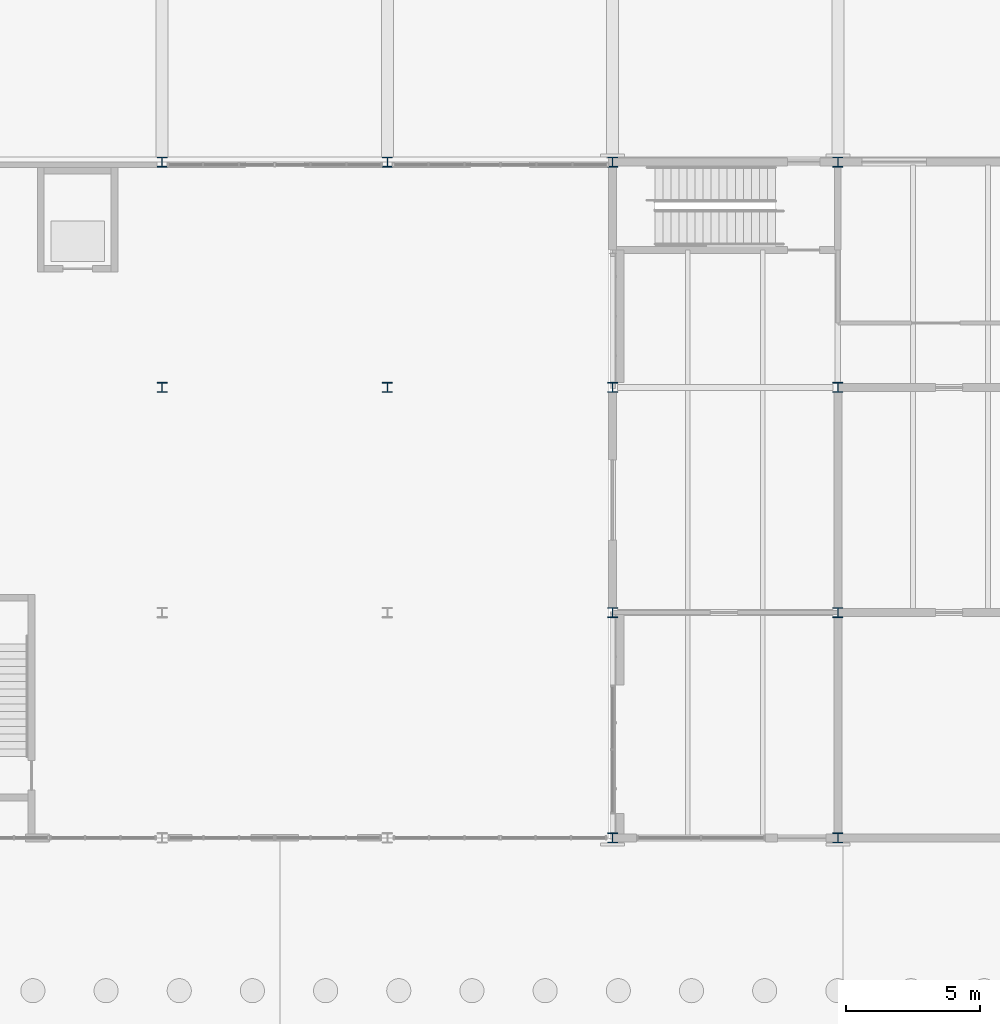
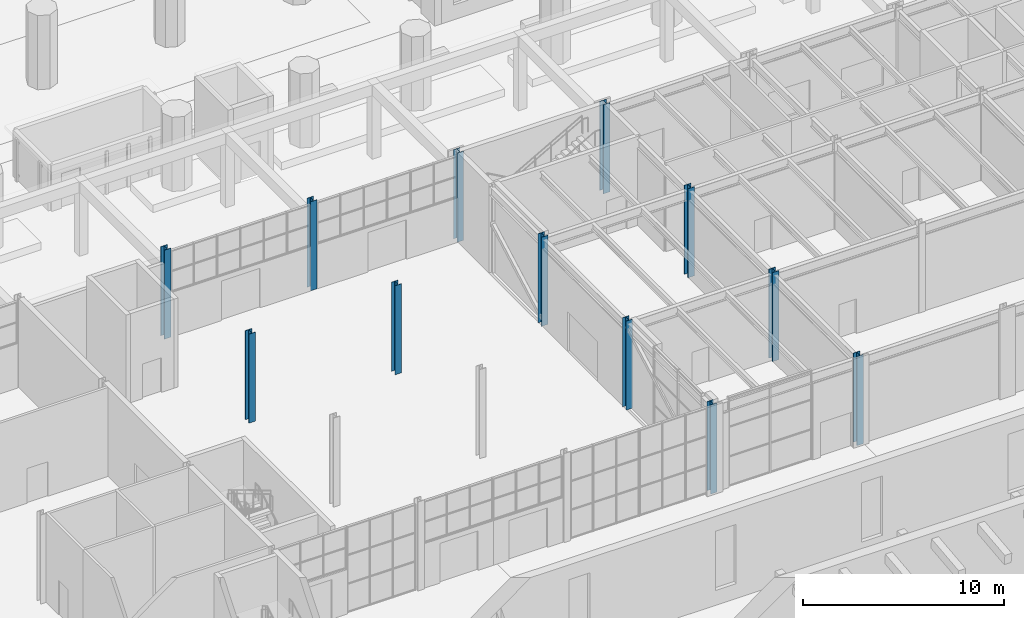
# One storey, part 26 of 127: 12 columns.
"""IFC4 building model written with IfcOpenShell, lengths in metres."""

from ifc_helpers import new_model, si_unit, direction, frame, origin, origin_2d, place, context, subcontext, project, spatial, i_section, extrude, material, material_profile, profile_set, type_object, element, save


model = new_model("IFC4")

# Units and contexts
model_context = context("Model", 3, precision=1e-05, world=origin(), true_north=direction((0.0, 1.0)))
body_context = subcontext(model_context, "Body", "Model", "MODEL_VIEW")
ifc_project = project(units=[si_unit("LENGTHUNIT", "METRE"), si_unit("AREAUNIT", "SQUARE_METRE"), si_unit("VOLUMEUNIT", "CUBIC_METRE"), si_unit("PLANEANGLEUNIT", "RADIAN"), si_unit("MASSUNIT", "GRAM", prefix="KILO")], contexts=[model_context])

# Site, building, storey
site_placement = place(None, origin())
site = spatial("IfcSite", under=ifc_project, at=site_placement, CompositionType="ELEMENT")
building_placement = place(site_placement, origin())
building = spatial("IfcBuilding", under=site, at=building_placement, Name="Ljudholm Concert House", CompositionType="ELEMENT")
storey_placement = place(building_placement, origin())
storey = spatial("IfcBuildingStorey", under=building, at=storey_placement, Name="L00", CompositionType="ELEMENT", Elevation=0.0)

# Columns
ifc_material = material(Name="Steel ASTM A992", Category="steel")
ifc_material_profile = material_profile(ifc_material, i_section(OverallWidth=0.373291015625, OverallDepth=0.373291015625, WebThickness=0.016357421875, FlangeThickness=0.026123046875, FilletRadius=0.01513671875, at=origin_2d()), Name="W14X132")
ifc_profile_set = profile_set([ifc_material_profile], Name="Steel ASTM A992")
column_type = type_object("IfcColumnType", Name="STEEL COLUMN W14X132", PredefinedType="COLUMN", material=ifc_profile_set)
for number, where, z_axis, x_axis, name in (
    (1, (54.39990234375, 104.800048828125, 0.0), (0.0, 0.0, 1.0), (1.0, 0.0, 0.0), "Column STUDIO-L00-col-54.4-104.8"),
    (2, (54.39990234375, 113.199951171875, 0.0), (0.0, 0.0, 1.0), (1.0, 0.0, 0.0), "Column STUDIO-L00-col-54.4-113.2"),
    (3, (54.39990234375, 121.60009765625, 0.0), (0.0, 0.0, 1.0), (1.0, 0.0, 0.0), "Column STUDIO-L00-col-54.4-121.6"),
    (4, (54.39990234375, 130.0, 0.0), (0.0, 0.0, 1.0), (1.0, 0.0, 0.0), "Column STUDIO-L00-col-54.4-130"),
    (5, (62.800048828125, 104.800048828125, 0.0), (0.0, 0.0, 1.0), (1.0, 0.0, 0.0), "Column STUDIO-L00-col-62.8-104.8"),
    (6, (62.800048828125, 113.199951171875, 0.0), (0.0, 0.0, 1.0), (1.0, 0.0, 0.0), "Column STUDIO-L00-col-62.8-113.2"),
    (7, (62.800048828125, 121.60009765625, 0.0), (0.0, 0.0, 1.0), (1.0, 0.0, 0.0), "Column STUDIO-L00-col-62.8-121.6"),
    (8, (62.800048828125, 130.0, 0.0), (0.0, 0.0, 1.0), (1.0, 0.0, 0.0), "Column STUDIO-L00-col-62.8-130"),
    (9, (37.60009765625, 121.60009765625, 0.0), (0.0, 0.0, 1.0), (1.0, 0.0, 0.0), "Column W14X132"),
    (10, (37.60009765625, 130.0, 0.0), (0.0, 0.0, 1.0), (1.0, 0.0, 0.0), "Column W14X132"),
    (11, (46.0, 121.60009765625, 0.0), (0.0, 0.0, 1.0), (1.0, 0.0, 0.0), "Column W14X132"),
    (12, (46.0, 130.0, 0.0), (0.0, 0.0, 1.0), (1.0, 0.0, 0.0), "Column W14X132"),
):
    element("IfcColumn", number, at=place(storey_placement, frame(where, z_axis=z_axis, x_axis=x_axis)), inside=storey, type_object=column_type, Name=name, PredefinedType="COLUMN", context=body_context, shape_type="SweptSolid", body=[
        extrude(i_section(OverallWidth=0.373291015625, OverallDepth=0.373291015625, WebThickness=0.016357421875, FlangeThickness=0.026123046875, FilletRadius=0.01513671875, at=origin_2d()), origin(), (0.0, 0.0, 1.0), 5.39990234375),
    ])

save(model, "model.ifc")
